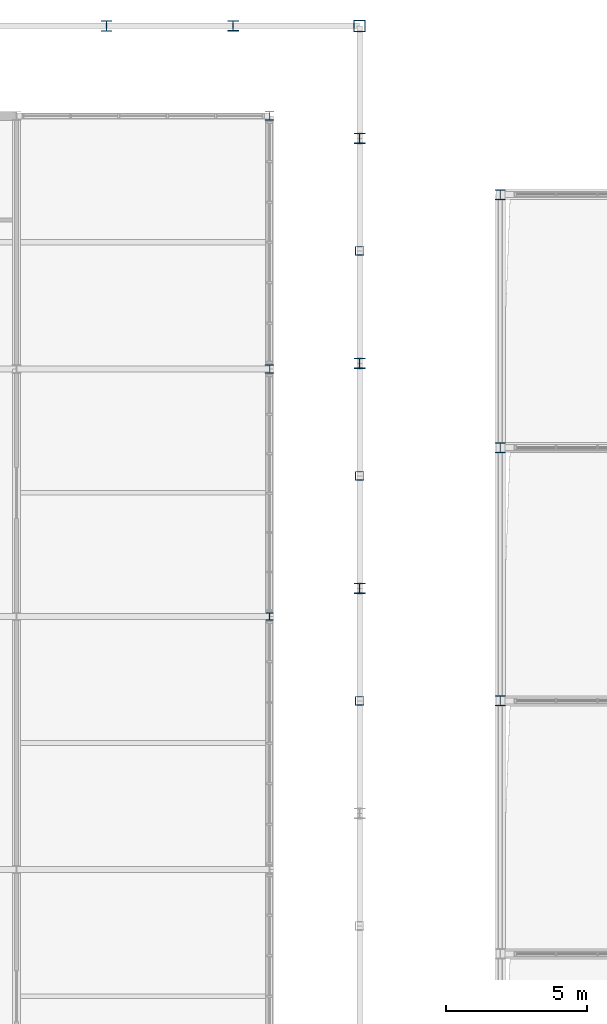
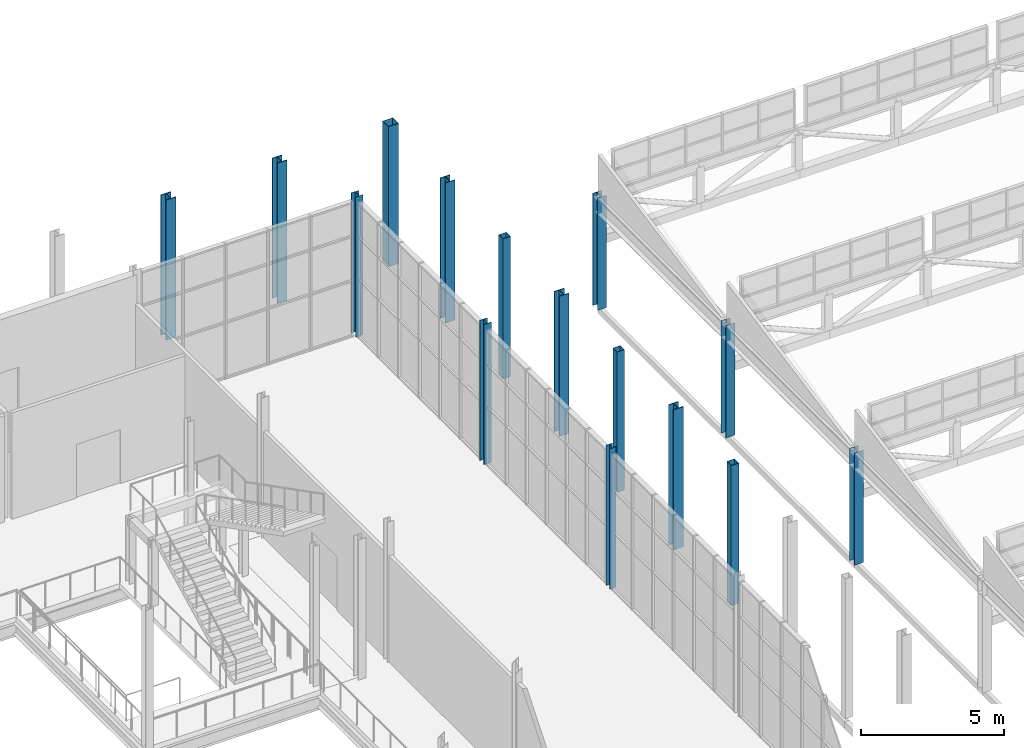
# One storey, part 24 of 159: 15 columns.
"""IFC4 building model written with IfcOpenShell, lengths in metres."""

from ifc_helpers import new_model, si_unit, direction, frame, origin, origin_2d, place, context, subcontext, project, spatial, hollow_rectangle, i_section, extrude, material, material_profile, profile_set, type_object, element, save


model = new_model("IFC4")

# Units and contexts
model_context = context("Model", 3, precision=1e-05, world=origin(), true_north=direction((0.0, 1.0)))
body_context = subcontext(model_context, "Body", "Model", "MODEL_VIEW")
ifc_project = project(units=[si_unit("LENGTHUNIT", "METRE"), si_unit("AREAUNIT", "SQUARE_METRE"), si_unit("VOLUMEUNIT", "CUBIC_METRE"), si_unit("PLANEANGLEUNIT", "RADIAN"), si_unit("MASSUNIT", "GRAM", prefix="KILO")], contexts=[model_context])

# Site, building, storey
site_placement = place(None, origin())
site = spatial("IfcSite", under=ifc_project, at=site_placement, CompositionType="ELEMENT")
building_placement = place(site_placement, origin())
building = spatial("IfcBuilding", under=site, at=building_placement, Name="Cazmaro Siding Exhibition Halls", CompositionType="ELEMENT")
storey_placement = place(building_placement, frame((0.0, 0.0, 6.0)))
storey = spatial("IfcBuildingStorey", under=building, at=storey_placement, Name="L01", CompositionType="ELEMENT", Elevation=6.0)

# Columns
ifc_material_1 = material(Name="Steel ASTM A992 Grade 50", Category="steel")
ifc_material_profile_1 = material_profile(ifc_material_1, i_section(OverallWidth=0.39208984375, OverallDepth=0.3759765625, WebThickness=0.01708984375, FlangeThickness=0.028076171875, at=origin_2d()), Name="W14X145")
ifc_profile_set_1 = profile_set([ifc_material_profile_1], Name="Steel ASTM A992 Grade 50")
column_type_1 = type_object("IfcColumnType", Name="C-03", PredefinedType="COLUMN", material=ifc_profile_set_1)
for number, where, z_axis, x_axis, name in (
    (1, (166.5, 124.0, 0.0), (0.0, 0.0, 1.0), (1.0, 0.0, 0.0), "Column C-03 COL-0167"),
    (2, (171.0, 104.0, 0.0), (0.0, 0.0, 1.0), (1.0, 0.0, 0.0), "Column C-03 COL-0245"),
    (3, (171.0, 112.0, 0.0), (0.0, 0.0, 1.0), (1.0, 0.0, 0.0), "Column C-03 COL-0251"),
    (4, (171.0, 120.0, 0.0), (0.0, 0.0, 1.0), (1.0, 0.0, 0.0), "Column C-03 COL-0257"),
):
    element("IfcColumn", number, at=place(storey_placement, frame(where, z_axis=z_axis, x_axis=x_axis)), inside=storey, type_object=column_type_1, Name=name, PredefinedType="COLUMN", context=body_context, shape_type="SweptSolid", body=[
        extrude(i_section(OverallWidth=0.39208984375, OverallDepth=0.3759765625, WebThickness=0.01708984375, FlangeThickness=0.028076171875, at=origin_2d()), origin(), (0.0, 0.0, 1.0), 6.0),
    ])
ifc_material_2 = material(Name="Steel ASTM A992 Grade 50", Category="steel")
ifc_material_profile_2 = material_profile(ifc_material_2, i_section(OverallWidth=0.367919921875, OverallDepth=0.35595703125, WebThickness=0.010986328125, FlangeThickness=0.01806640625, at=origin_2d()), Name="W14X90")
ifc_profile_set_2 = profile_set([ifc_material_profile_2], Name="Steel ASTM A992 Grade 50")
column_type_2 = type_object("IfcColumnType", Name="C-05", PredefinedType="COLUMN", material=ifc_profile_set_2)
for number, where, z_axis, x_axis, name in (
    (5, (176.0, 100.0, 0.0), (0.0, 0.0, 1.0), (1.0, 0.0, 0.0), "Column C-05 COL-0686"),
    (6, (176.0, 109.0, 0.0), (0.0, 0.0, 1.0), (1.0, 0.0, 0.0), "Column C-05 COL-0688"),
    (7, (176.0, 118.0, 0.0), (0.0, 0.0, 1.0), (1.0, 0.0, 0.0), "Column C-05 COL-0690"),
):
    element("IfcColumn", number, at=place(storey_placement, frame(where, z_axis=z_axis, x_axis=x_axis)), inside=storey, type_object=column_type_2, Name=name, PredefinedType="COLUMN", context=body_context, shape_type="SweptSolid", body=[
        extrude(i_section(OverallWidth=0.367919921875, OverallDepth=0.35595703125, WebThickness=0.010986328125, FlangeThickness=0.01806640625, at=origin_2d()), origin(), (0.0, 0.0, 1.0), 4.800048828125),
    ])
ifc_material_3 = material(Name="Steel ASTM A992 Grade 50", Category="steel")
ifc_material_profile_3 = material_profile(ifc_material_3, i_section(OverallWidth=0.304931640625, OverallDepth=0.306884765625, WebThickness=0.010009765625, FlangeThickness=0.014892578125, at=origin_2d()), Name="W12X65")
ifc_profile_set_3 = profile_set([ifc_material_profile_3], Name="Steel ASTM A992 Grade 50")
column_type_3 = type_object("IfcColumnType", Name="C-06", PredefinedType="COLUMN", material=ifc_profile_set_3)
for number, where, z_axis, x_axis, name in (
    (8, (167.800048828125, 111.800048828125, 0.0), (0.0, 0.0, 1.0), (1.0, 0.0, 0.0), "Column C-06 COL-0387"),
    (9, (167.800048828125, 120.800048828125, 0.0), (0.0, 0.0, 1.0), (1.0, 0.0, 0.0), "Column C-06 COL-0389"),
):
    element("IfcColumn", number, at=place(storey_placement, frame(where, z_axis=z_axis, x_axis=x_axis)), inside=storey, type_object=column_type_3, Name=name, PredefinedType="COLUMN", context=body_context, shape_type="SweptSolid", body=[
        extrude(i_section(OverallWidth=0.304931640625, OverallDepth=0.306884765625, WebThickness=0.010009765625, FlangeThickness=0.014892578125, at=origin_2d()), origin(), (0.0, 0.0, 1.0), 6.0),
    ])
ifc_material_4 = material(Name="Steel ASTM A992 Grade 50", Category="steel")
ifc_material_profile_4 = material_profile(ifc_material_4, i_section(OverallWidth=0.39892578125, OverallDepth=0.386962890625, WebThickness=0.02099609375, FlangeThickness=0.032958984375, at=origin_2d()), Name="W14X176")
ifc_profile_set_4 = profile_set([ifc_material_profile_4], Name="Steel ASTM A992 Grade 50")
column_type_4 = type_object("IfcColumnType", Name="C-11", PredefinedType="COLUMN", material=ifc_profile_set_4)
column_1_placement = place(storey_placement, frame((162.0, 124.0, 0.0), z_axis=(0.0, 0.0, 1.0), x_axis=(1.0, 0.0, 0.0)))
element("IfcColumn", 10, at=column_1_placement, inside=storey, type_object=column_type_4, Name="Column C-11 COL-0161", PredefinedType="COLUMN", context=body_context, shape_type="SweptSolid", body=[
    extrude(i_section(OverallWidth=0.39892578125, OverallDepth=0.386962890625, WebThickness=0.02099609375, FlangeThickness=0.032958984375, at=origin_2d()), origin(), (0.0, 0.0, 1.0), 6.0),
])
ifc_material_5 = material(Name="Steel ASTM A992 Grade 50", Category="steel")
ifc_material_profile_5 = material_profile(ifc_material_5, i_section(OverallWidth=0.257080078125, OverallDepth=0.263916015625, WebThickness=0.011962890625, FlangeThickness=0.02001953125, at=origin_2d()), Name="W10X68")
ifc_profile_set_5 = profile_set([ifc_material_profile_5], Name="Steel ASTM A992 Grade 50")
column_type_5 = type_object("IfcColumnType", Name="C-14", PredefinedType="COLUMN", material=ifc_profile_set_5)
column_2_placement = place(storey_placement, frame((167.800048828125, 103.0, 0.0), z_axis=(0.0, 0.0, 1.0), x_axis=(1.0, 0.0, 0.0)))
element("IfcColumn", 11, at=column_2_placement, inside=storey, type_object=column_type_5, Name="Column C-14 COL-0447", PredefinedType="COLUMN", context=body_context, shape_type="SweptSolid", body=[
    extrude(i_section(OverallWidth=0.257080078125, OverallDepth=0.263916015625, WebThickness=0.011962890625, FlangeThickness=0.02001953125, at=origin_2d()), origin(), (0.0, 0.0, 1.0), 6.0),
])
ifc_material_6 = material(Name="Steel ASTM A500 Grade C", Category="steel")
ifc_material_profile_6 = material_profile(ifc_material_6, hollow_rectangle(XDim=0.406005859375, YDim=0.406005859375, WallThickness=0.014892578125, at=origin_2d()), Name="HSS16X16X5/8")
ifc_profile_set_6 = profile_set([ifc_material_profile_6], Name="Steel ASTM A500 Grade C")
column_type_6 = type_object("IfcColumnType", Name="PL-01", PredefinedType="PILASTER", material=ifc_profile_set_6)
column_3_placement = place(storey_placement, frame((171.0, 124.0, 0.0), z_axis=(0.0, 0.0, 1.0), x_axis=(1.0, 0.0, 0.0)))
element("IfcColumn", 12, at=column_3_placement, inside=storey, type_object=column_type_6, Name="Column PL-01 COL-0173", PredefinedType="PILASTER", context=body_context, shape_type="SweptSolid", body=[
    extrude(hollow_rectangle(XDim=0.406005859375, YDim=0.406005859375, WallThickness=0.014892578125, at=origin_2d()), origin(), (0.0, 0.0, 1.0), 6.0),
])
ifc_material_7 = material(Name="Steel ASTM A500 Grade C", Category="steel")
ifc_material_profile_7 = material_profile(ifc_material_7, hollow_rectangle(XDim=0.304931640625, YDim=0.304931640625, WallThickness=0.014892578125, at=origin_2d()), Name="HSS12X12X5/8")
ifc_profile_set_7 = profile_set([ifc_material_profile_7], Name="Steel ASTM A500 Grade C")
column_type_7 = type_object("IfcColumnType", Name="PL-02", PredefinedType="PILASTER", material=ifc_profile_set_7)
for number, where, z_axis, x_axis, name in (
    (13, (171.0, 100.0, 0.0), (0.0, 0.0, 1.0), (1.0, 0.0, 0.0), "Column PL-02 COL-0242"),
    (14, (171.0, 108.0, 0.0), (0.0, 0.0, 1.0), (1.0, 0.0, 0.0), "Column PL-02 COL-0248"),
    (15, (171.0, 116.0, 0.0), (0.0, 0.0, 1.0), (1.0, 0.0, 0.0), "Column PL-02 COL-0254"),
):
    element("IfcColumn", number, at=place(storey_placement, frame(where, z_axis=z_axis, x_axis=x_axis)), inside=storey, type_object=column_type_7, Name=name, PredefinedType="PILASTER", context=body_context, shape_type="SweptSolid", body=[
        extrude(hollow_rectangle(XDim=0.304931640625, YDim=0.304931640625, WallThickness=0.014892578125, at=origin_2d()), origin(), (0.0, 0.0, 1.0), 6.0),
    ])

save(model, "model.ifc")
